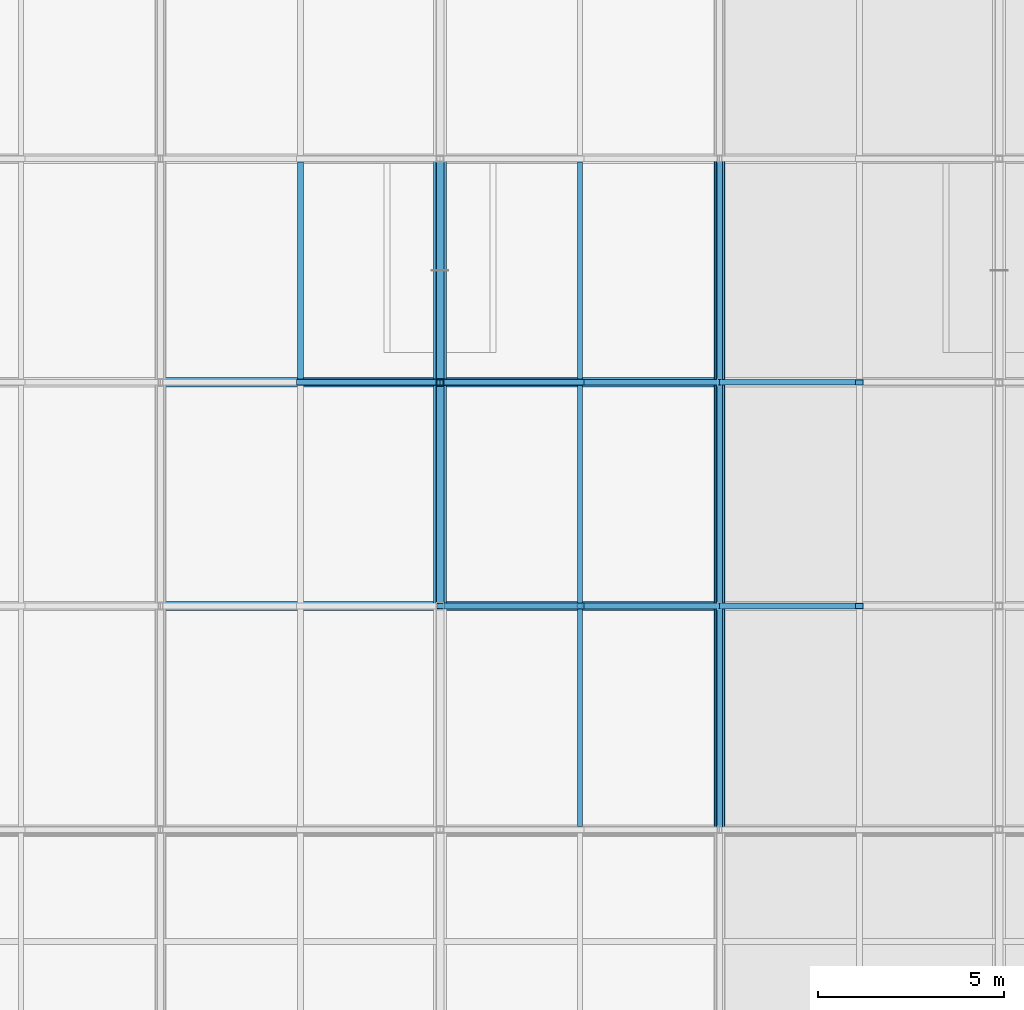
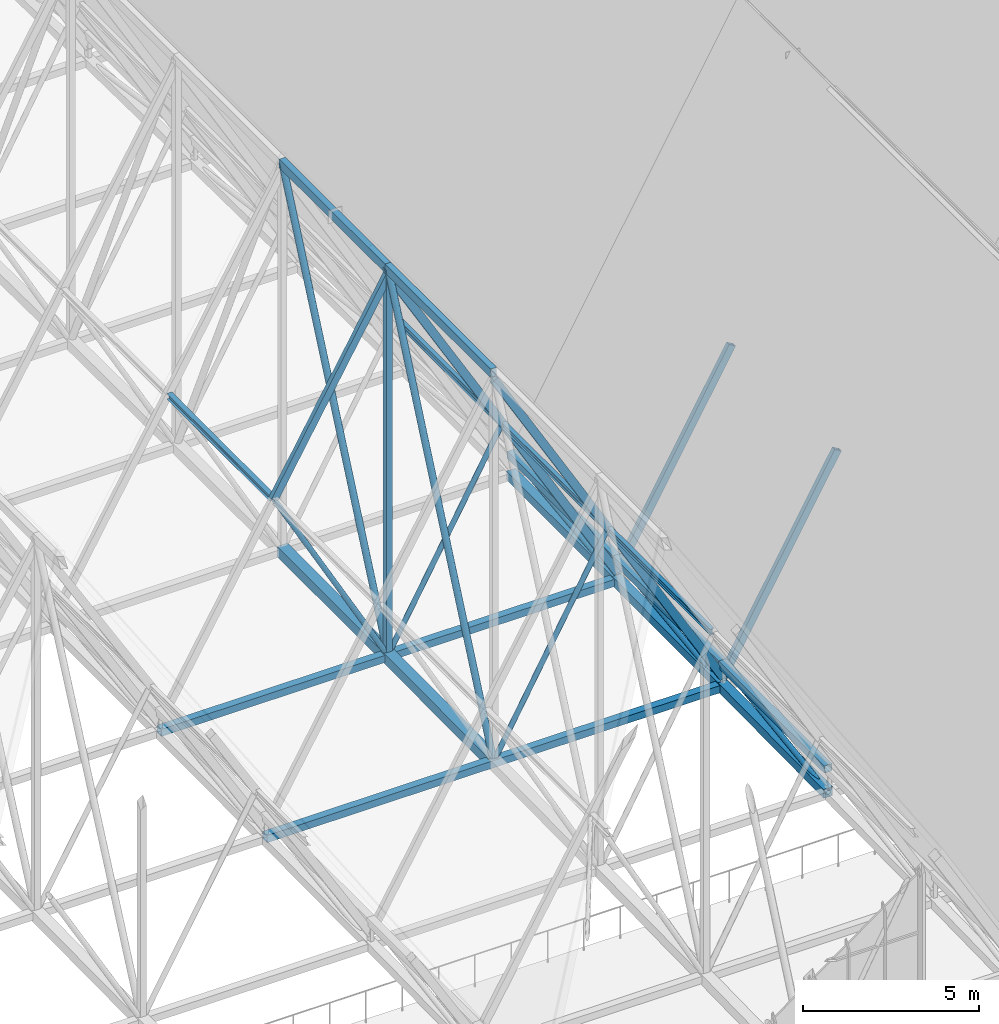
# One storey, part 104 of 324: 28 members, 4 beams.
"""IFC4 building model written with IfcOpenShell, lengths in metres."""

from ifc_helpers import new_model, si_unit, direction, frame, origin, origin_2d, place, context, subcontext, project, spatial, hollow_rectangle, hollow_circle, i_section, extrude, material, material_profile, profile_set, type_object, element, save


model = new_model("IFC4")

# Units and contexts
model_context = context("Model", 3, precision=1e-05, world=origin(), true_north=direction((0.0, 1.0)))
body_context = subcontext(model_context, "Body", "Model", "MODEL_VIEW")
ifc_project = project(units=[si_unit("LENGTHUNIT", "METRE"), si_unit("AREAUNIT", "SQUARE_METRE"), si_unit("VOLUMEUNIT", "CUBIC_METRE"), si_unit("PLANEANGLEUNIT", "RADIAN"), si_unit("MASSUNIT", "GRAM", prefix="KILO")], contexts=[model_context])

# Site, building, storey
site_placement = place(None, origin())
site = spatial("IfcSite", under=ifc_project, at=site_placement, CompositionType="ELEMENT")
building_placement = place(site_placement, origin())
building = spatial("IfcBuilding", under=site, at=building_placement, Name="Solvenia Promenade Tram Depot", CompositionType="ELEMENT")
storey_placement = place(building_placement, frame((0.0, 0.0, 4.5)))
storey = spatial("IfcBuildingStorey", under=building, at=storey_placement, Name="L01", CompositionType="ELEMENT", Elevation=4.5)

# Members
ifc_material_1 = material(Name="Structural steel ASTM A500 Gr. C", Category="steel")
ifc_material_profile_1 = material_profile(ifc_material_1, hollow_circle(Radius=0.109619140625, WallThickness=0.008056640625, at=origin_2d()), Name="CHS219.1x8", Category="steel")
ifc_profile_set_1 = profile_set([ifc_material_profile_1], Name="Structural steel ASTM A500 Gr. C")
member_type_1 = type_object("IfcMemberType", Name="Brace-CHS219x8", PredefinedType="BRACE", material=ifc_profile_set_1)
member_1_placement = place(storey_placement, frame((52.5, 84.0, 2.614013671875), z_axis=(0.0, 0.406795685275, 0.913519168076), x_axis=(-1.0, 0.0, 0.0)))
element("IfcMember", 1, at=member_1_placement, inside=storey, type_object=member_type_1, Name="Arched Truss T08 Web Diagonal S04", PredefinedType="BRACE", context=body_context, shape_type="SweptSolid", body=[
    extrude(hollow_circle(Radius=0.109619140625, WallThickness=0.008056640625, at=origin_2d()), origin(), (0.0, 0.0, 1.0), 14.74951171875),
])
member_2_placement = place(storey_placement, frame((52.5, 90.0, 2.656005859375), z_axis=(0.0, 0.40785617385, 0.913046188017), x_axis=(-1.0, 0.0, 0.0)))
element("IfcMember", 2, at=member_2_placement, inside=storey, type_object=member_type_1, Name="Arched Truss T08 Web Diagonal S05", PredefinedType="BRACE", context=body_context, shape_type="SweptSolid", body=[
    extrude(hollow_circle(Radius=0.109619140625, WallThickness=0.008056640625, at=origin_2d()), origin(), (0.0, 0.0, 1.0), 14.711181640625),
])
ifc_material_profile_2 = material_profile(ifc_material_1, hollow_rectangle(XDim=0.14990234375, YDim=0.25, WallThickness=0.010009765625, at=origin_2d()), Name="HSS250x150x10", Category="steel")
ifc_profile_set_2 = profile_set([ifc_material_profile_2], Name="Structural steel ASTM A500 Gr. C")
member_type_2 = type_object("IfcMemberType", Name="Chord-HSS250x150x10", PredefinedType="CHORD", material=ifc_profile_set_2)
for number, where, z_axis, x_axis, name in (
    (3, (52.5, 84.0, 15.859130859375), (0.501516268578, 0.0, -0.865148214095), (0.0, 1.0, 0.0), "Zigzag Gable 04 East Upper Rafter"),
    (4, (56.25, 84.0, 9.39013671875), (0.501516268578, 0.0, -0.865148214095), (0.0, 1.0, 0.0), "Zigzag Gable 04 East Lower Rafter"),
    (5, (48.75, 90.0, 9.39013671875), (0.501516268578, 0.0, 0.865148214095), (0.0, 1.0, 0.0), "Zigzag Gable 04 West Upper Rafter"),
    (6, (52.5, 90.0, 15.859130859375), (0.501516268578, 0.0, -0.865148214095), (0.0, 1.0, 0.0), "Zigzag Gable 04 East Upper Rafter"),
    (7, (56.25, 90.0, 9.39013671875), (0.501516268578, 0.0, -0.865148214095), (0.0, 1.0, 0.0), "Zigzag Gable 04 East Lower Rafter"),
):
    element("IfcMember", number, at=place(storey_placement, frame(where, z_axis=z_axis, x_axis=x_axis)), inside=storey, type_object=member_type_2, Name=name, PredefinedType="CHORD", context=body_context, shape_type="SweptSolid", body=[
        extrude(hollow_rectangle(XDim=0.14990234375, YDim=0.25, WallThickness=0.010009765625, at=origin_2d()), origin(), (0.0, 0.0, 1.0), 7.477294921875),
    ])
for number, where, z_axis, x_axis, name in (
    (8, (60.0, 84.0, 2.916259765625), (0.494861595532, 0.0, 0.868971806946), (0.0, 1.0, 0.0), "Zigzag Gable 05 West Lower Rafter"),
    (9, (60.0, 90.0, 2.916259765625), (0.494861595532, 0.0, 0.868971806946), (0.0, 1.0, 0.0), "Zigzag Gable 05 West Lower Rafter"),
):
    element("IfcMember", number, at=place(storey_placement, frame(where, z_axis=z_axis, x_axis=x_axis)), inside=storey, type_object=member_type_2, Name=name, PredefinedType="CHORD", context=body_context, shape_type="SweptSolid", body=[
        extrude(hollow_rectangle(XDim=0.14990234375, YDim=0.25, WallThickness=0.010009765625, at=origin_2d()), origin(), (0.0, 0.0, 1.0), 7.577880859375),
    ])
ifc_material_profile_3 = material_profile(ifc_material_1, hollow_rectangle(XDim=0.25, YDim=0.25, WallThickness=0.010009765625, at=origin_2d()), Name="HSS250x250x10", Category="steel")
ifc_profile_set_3 = profile_set([ifc_material_profile_3], Name="Structural steel ASTM A500 Gr. C")
member_type_3 = type_object("IfcMemberType", Name="Chord-HSS250x250x10", PredefinedType="CHORD", material=ifc_profile_set_3)
for number, where, z_axis, x_axis, name in (
    (10, (60.0, 78.0, 3.3798828125), (0.0, 1.0, 0.0), (-1.0, 0.0, 0.0), "Arched Truss T09 Upper Chord S03"),
    (11, (60.0, 84.0, 3.3798828125), (0.0, 1.0, 0.0), (-1.0, 0.0, 0.0), "Arched Truss T09 Upper Chord S04"),
    (12, (60.0, 90.0, 3.3798828125), (0.0, 1.0, 0.0), (-1.0, 0.0, 0.0), "Arched Truss T09 Upper Chord S05"),
):
    element("IfcMember", number, at=place(storey_placement, frame(where, z_axis=z_axis, x_axis=x_axis)), inside=storey, type_object=member_type_3, Name=name, PredefinedType="CHORD", context=body_context, shape_type="SweptSolid", body=[
        extrude(hollow_rectangle(XDim=0.25, YDim=0.25, WallThickness=0.010009765625, at=origin_2d()), origin(), (0.0, 0.0, 1.0), 6.0),
    ])
for number, where, z_axis, x_axis, name in (
    (13, (45.0, 84.0, 2.614013671875), (1.0, 0.0, 0.0), (0.0, 1.0, 0.0), "Bottom-Chord Catenary Lateral Tie 030"),
    (14, (45.0, 90.0, 2.656005859375), (1.0, 0.0, 0.0), (0.0, 1.0, 0.0), "Bottom-Chord Catenary Lateral Tie 031"),
):
    element("IfcMember", number, at=place(storey_placement, frame(where, z_axis=z_axis, x_axis=x_axis)), inside=storey, type_object=member_type_3, Name=name, PredefinedType="CHORD", context=body_context, shape_type="SweptSolid", body=[
        extrude(hollow_rectangle(XDim=0.25, YDim=0.25, WallThickness=0.010009765625, at=origin_2d()), origin(), (0.0, 0.0, 1.0), 15.0),
    ])
ifc_material_profile_4 = material_profile(ifc_material_1, hollow_rectangle(XDim=0.199951171875, YDim=0.300048828125, WallThickness=0.012451171875, at=origin_2d()), Name="HSS300x200x12.5", Category="steel")
ifc_profile_set_4 = profile_set([ifc_material_profile_4], Name="Structural steel ASTM A500 Gr. C")
member_type_4 = type_object("IfcMemberType", Name="Chord-HSS300x200x12", PredefinedType="CHORD", material=ifc_profile_set_4)
for number, where, z_axis, x_axis, name in (
    (15, (52.5, 84.0, 16.087890625), (0.0, 1.0, 0.0), (-1.0, 0.0, 0.0), "Arched Truss T08 Upper Chord S04"),
    (16, (52.5, 90.0, 16.087890625), (0.0, 1.0, 0.0), (-1.0, 0.0, 0.0), "Arched Truss T08 Upper Chord S05"),
):
    element("IfcMember", number, at=place(storey_placement, frame(where, z_axis=z_axis, x_axis=x_axis)), inside=storey, type_object=member_type_4, Name=name, PredefinedType="CHORD", context=body_context, shape_type="SweptSolid", body=[
        extrude(hollow_rectangle(XDim=0.199951171875, YDim=0.300048828125, WallThickness=0.012451171875, at=origin_2d()), origin(), (0.0, 0.0, 1.0), 6.0),
    ])
ifc_material_profile_5 = material_profile(ifc_material_1, hollow_rectangle(XDim=0.300048828125, YDim=0.300048828125, WallThickness=0.012451171875, at=origin_2d()), Name="HSS300x300x12.5", Category="steel")
ifc_profile_set_5 = profile_set([ifc_material_profile_5], Name="Structural steel ASTM A500 Gr. C")
member_type_5 = type_object("IfcMemberType", Name="Chord-HSS300x300x12", PredefinedType="CHORD", material=ifc_profile_set_5)
member_3_placement = place(storey_placement, frame((60.0, 78.0, 2.5439453125), z_axis=(0.0, 0.999931818432, 0.011677263667), x_axis=(-1.0, 0.0, 0.0)))
element("IfcMember", 17, at=member_3_placement, inside=storey, type_object=member_type_5, Name="Arched Truss T09 Bottom Chord S03", PredefinedType="CHORD", context=body_context, shape_type="SweptSolid", body=[
    extrude(hollow_rectangle(XDim=0.300048828125, YDim=0.300048828125, WallThickness=0.012451171875, at=origin_2d()), origin(), (0.0, 0.0, 1.0), 6.00048828125),
])
member_4_placement = place(storey_placement, frame((60.0, 84.0, 2.614013671875), z_axis=(0.0, 0.999975510013, 0.006998526519), x_axis=(-1.0, 0.0, 0.0)))
element("IfcMember", 18, at=member_4_placement, inside=storey, type_object=member_type_5, Name="Arched Truss T09 Bottom Chord S04", PredefinedType="CHORD", context=body_context, shape_type="SweptSolid", body=[
    extrude(hollow_rectangle(XDim=0.300048828125, YDim=0.300048828125, WallThickness=0.012451171875, at=origin_2d()), origin(), (0.0, 0.0, 1.0), 6.000244140625),
])
member_5_placement = place(storey_placement, frame((60.0, 90.0, 2.656005859375), z_axis=(0.0, 0.999997310351, 0.002319329699), x_axis=(-1.0, 0.0, 0.0)))
element("IfcMember", 19, at=member_5_placement, inside=storey, type_object=member_type_5, Name="Arched Truss T09 Bottom Chord S05", PredefinedType="CHORD", context=body_context, shape_type="SweptSolid", body=[
    extrude(hollow_rectangle(XDim=0.300048828125, YDim=0.300048828125, WallThickness=0.012451171875, at=origin_2d()), origin(), (0.0, 0.0, 1.0), 6.0),
])
ifc_material_profile_6 = material_profile(ifc_material_1, hollow_rectangle(XDim=0.35009765625, YDim=0.35009765625, WallThickness=0.01611328125, at=origin_2d()), Name="HSS350x350x16", Category="steel")
ifc_profile_set_6 = profile_set([ifc_material_profile_6], Name="Structural steel ASTM A500 Gr. C")
member_type_6 = type_object("IfcMemberType", Name="Chord-HSS350x350x16", PredefinedType="CHORD", material=ifc_profile_set_6)
member_6_placement = place(storey_placement, frame((52.5, 84.0, 2.614013671875), z_axis=(0.0, 0.999975510013, 0.006998526519), x_axis=(-1.0, 0.0, 0.0)))
element("IfcMember", 20, at=member_6_placement, inside=storey, type_object=member_type_6, Name="Arched Truss T08 Bottom Chord S04", PredefinedType="CHORD", context=body_context, shape_type="SweptSolid", body=[
    extrude(hollow_rectangle(XDim=0.35009765625, YDim=0.35009765625, WallThickness=0.01611328125, at=origin_2d()), origin(), (0.0, 0.0, 1.0), 6.000244140625),
])
member_7_placement = place(storey_placement, frame((52.5, 90.0, 2.656005859375), z_axis=(0.0, 0.999997310351, 0.002319329699), x_axis=(-1.0, 0.0, 0.0)))
element("IfcMember", 21, at=member_7_placement, inside=storey, type_object=member_type_6, Name="Arched Truss T08 Bottom Chord S05", PredefinedType="CHORD", context=body_context, shape_type="SweptSolid", body=[
    extrude(hollow_rectangle(XDim=0.35009765625, YDim=0.35009765625, WallThickness=0.01611328125, at=origin_2d()), origin(), (0.0, 0.0, 1.0), 6.0),
])
ifc_material_profile_7 = material_profile(ifc_material_1, hollow_rectangle(XDim=0.199951171875, YDim=0.199951171875, WallThickness=0.010009765625, at=origin_2d()), Name="HSS200x200x10", Category="steel")
ifc_profile_set_7 = profile_set([ifc_material_profile_7], Name="Structural steel ASTM A500 Gr. C")
member_type_7 = type_object("IfcMemberType", Name="Post-HSS200x200x10", PredefinedType="POST", material=ifc_profile_set_7)
member_8_placement = place(storey_placement, frame((52.5, 90.0, 2.656005859375), z_axis=(0.0, 0.0, 1.0), x_axis=(1.0, 0.0, 0.0)))
element("IfcMember", 22, at=member_8_placement, inside=storey, type_object=member_type_7, Name="Arched Truss T08 Web Post S04", PredefinedType="POST", context=body_context, shape_type="SweptSolid", body=[
    extrude(hollow_rectangle(XDim=0.199951171875, YDim=0.199951171875, WallThickness=0.010009765625, at=origin_2d()), origin(), (0.0, 0.0, 1.0), 13.431884765625),
])

# Beams
ifc_material_2 = material(Name="Structural steel ASTM A992 Gr. 50", Category="steel")
ifc_material_profile_8 = material_profile(ifc_material_2, i_section(OverallWidth=0.133056640625, OverallDepth=0.20703125, WebThickness=0.005859375, FlangeThickness=0.00830078125, FilletRadius=0.009033203125, at=origin_2d()), Name="W200x27", Category="steel")
ifc_profile_set_8 = profile_set([ifc_material_profile_8], Name="Structural steel ASTM A992 Gr. 50")
beam_type_1 = type_object("IfcBeamType", Name="Purlin-W200x27", PredefinedType="USERDEFINED", material=ifc_profile_set_8)
for number, where, z_axis, x_axis, name in (
    (23, (56.25, 78.0849609375, 9.375732421875), (0.0, 1.0, 0.0), (-1.0, 0.0, 0.0), "Gable Roof Purlin E-0066"),
    (24, (56.25, 84.0849609375, 9.375732421875), (0.0, 1.0, 0.0), (-1.0, 0.0, 0.0), "Gable Roof Purlin E-0068"),
    (25, (56.25, 90.0849609375, 9.375732421875), (0.0, 1.0, 0.0), (-1.0, 0.0, 0.0), "Gable Roof Purlin E-0070"),
):
    element("IfcBeam", number, at=place(storey_placement, frame(where, z_axis=z_axis, x_axis=x_axis)), inside=storey, type_object=beam_type_1, Name=name, ObjectType="PURLIN", PredefinedType="USERDEFINED", context=body_context, shape_type="SweptSolid", body=[
        extrude(i_section(OverallWidth=0.133056640625, OverallDepth=0.20703125, WebThickness=0.005859375, FlangeThickness=0.00830078125, FilletRadius=0.009033203125, at=origin_2d()), origin(), (0.0, 0.0, 1.0), 5.830078125),
    ])
ifc_material_profile_9 = material_profile(ifc_material_2, i_section(OverallWidth=0.1650390625, OverallDepth=0.200927734375, WebThickness=0.006103515625, FlangeThickness=0.01025390625, FilletRadius=0.010009765625, at=origin_2d()), Name="W200x36", Category="steel")
ifc_profile_set_9 = profile_set([ifc_material_profile_9], Name="Structural steel ASTM A992 Gr. 50")
beam_type_2 = type_object("IfcBeamType", Name="Purlin-W200x36", PredefinedType="USERDEFINED", material=ifc_profile_set_9)
beam_placement = place(storey_placement, frame((48.75, 90.0849609375, 9.375732421875), z_axis=(0.0, 1.0, 0.0), x_axis=(-1.0, 0.0, 0.0)))
element("IfcBeam", 26, at=beam_placement, inside=storey, type_object=beam_type_2, Name="Gable Roof Purlin W-0069", ObjectType="PURLIN", PredefinedType="USERDEFINED", context=body_context, shape_type="SweptSolid", body=[
    extrude(i_section(OverallWidth=0.1650390625, OverallDepth=0.200927734375, WebThickness=0.006103515625, FlangeThickness=0.01025390625, FilletRadius=0.010009765625, at=origin_2d()), origin(), (0.0, 0.0, 1.0), 5.830078125),
])

# Members
ifc_material_profile_10 = material_profile(ifc_material_1, hollow_circle(Radius=0.084228515625, WallThickness=0.008056640625, at=origin_2d()), Name="CHS168.3x8", Category="steel")
ifc_profile_set_10 = profile_set([ifc_material_profile_10], Name="Structural steel ASTM A500 Gr. C")
member_type_8 = type_object("IfcMemberType", Name="WebDiag-CHS168x8", PredefinedType="BRACE", material=ifc_profile_set_10)
member_9_placement = place(storey_placement, frame((60.0, 78.0, 2.5439453125), z_axis=(0.0, 0.990433608353, 0.13799009908), x_axis=(-1.0, 0.0, 0.0)))
element("IfcMember", 27, at=member_9_placement, inside=storey, type_object=member_type_8, Name="Arched Truss T09 Web Diagonal S03", PredefinedType="BRACE", context=body_context, shape_type="SweptSolid", body=[
    extrude(hollow_circle(Radius=0.084228515625, WallThickness=0.008056640625, at=origin_2d()), origin(), (0.0, 0.0, 1.0), 6.057861328125),
])
member_10_placement = place(storey_placement, frame((60.0, 84.0, 2.614013671875), z_axis=(0.0, 0.991951613347, 0.126617521609), x_axis=(-1.0, 0.0, 0.0)))
element("IfcMember", 28, at=member_10_placement, inside=storey, type_object=member_type_8, Name="Arched Truss T09 Web Diagonal S04", PredefinedType="BRACE", context=body_context, shape_type="SweptSolid", body=[
    extrude(hollow_circle(Radius=0.084228515625, WallThickness=0.008056640625, at=origin_2d()), origin(), (0.0, 0.0, 1.0), 6.048583984375),
])
member_11_placement = place(storey_placement, frame((60.0, 90.0, 2.656005859375), z_axis=(0.0, 0.992800749036, 0.119777596879), x_axis=(-1.0, 0.0, 0.0)))
element("IfcMember", 29, at=member_11_placement, inside=storey, type_object=member_type_8, Name="Arched Truss T09 Web Diagonal S05", PredefinedType="BRACE", context=body_context, shape_type="SweptSolid", body=[
    extrude(hollow_circle(Radius=0.084228515625, WallThickness=0.008056640625, at=origin_2d()), origin(), (0.0, 0.0, 1.0), 6.04345703125),
])
member_12_placement = place(storey_placement, frame((52.5, 84.0, 2.614013671875), z_axis=(0.484210311814, 0.0, 0.874951640911), x_axis=(0.0, 1.0, 0.0)))
element("IfcMember", 30, at=member_12_placement, inside=storey, type_object=member_type_8, Name="Zigzag Gable 04 East Knee Strut", PredefinedType="BRACE", context=body_context, shape_type="SweptSolid", body=[
    extrude(hollow_circle(Radius=0.084228515625, WallThickness=0.008056640625, at=origin_2d()), origin(), (0.0, 0.0, 1.0), 7.74462890625),
])
for number, where, z_axis, x_axis, name in (
    (31, (52.5, 90.0, 2.656005859375), (-0.486516718868, 0.0, 0.873671266702), (0.0, -1.0, 0.0), "Zigzag Gable 04 West Knee Strut"),
    (32, (52.5, 90.0, 2.656005859375), (0.486516718868, 0.0, 0.873671266702), (0.0, 1.0, 0.0), "Zigzag Gable 04 East Knee Strut"),
):
    element("IfcMember", number, at=place(storey_placement, frame(where, z_axis=z_axis, x_axis=x_axis)), inside=storey, type_object=member_type_8, Name=name, PredefinedType="BRACE", context=body_context, shape_type="SweptSolid", body=[
        extrude(hollow_circle(Radius=0.084228515625, WallThickness=0.008056640625, at=origin_2d()), origin(), (0.0, 0.0, 1.0), 7.707763671875),
    ])

save(model, "model.ifc")
